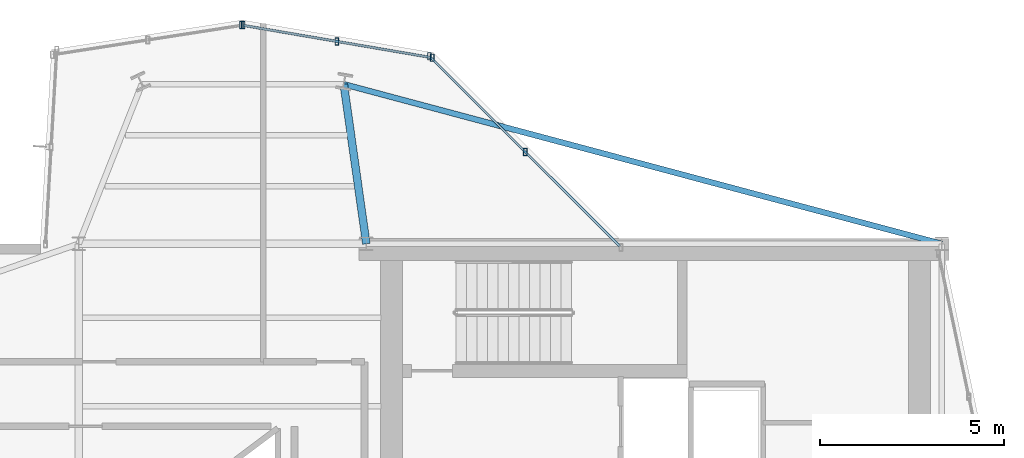
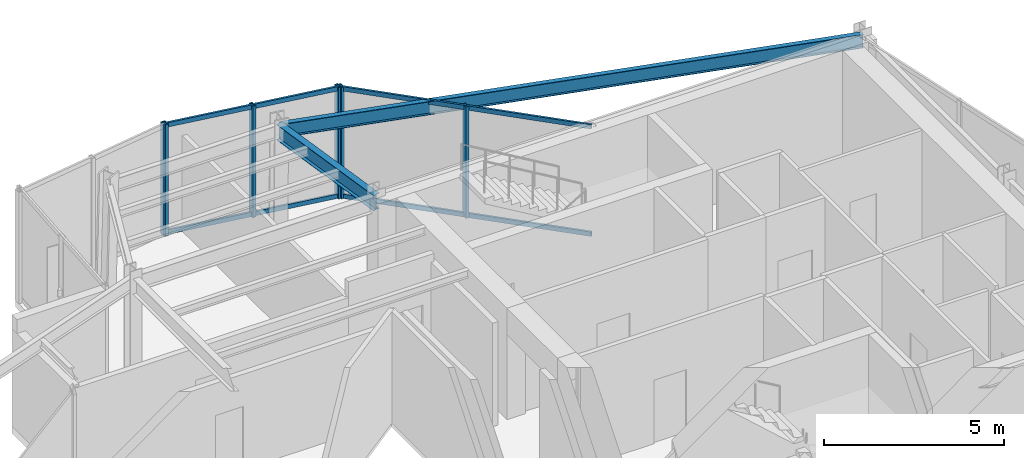
# One storey, part 6 of 13: 10 members, 2 beams, 3 elements without a shape of their own.
"""IFC4 building model written with IfcOpenShell, lengths in metres."""

from ifc_helpers import new_model, si_unit, direction, frame, origin, origin_2d, place, context, subcontext, project, spatial, hollow_rectangle, i_section, extrude, material, layer, layer_set, material_profile, profile_set, type_object, element, aggregate, save


model = new_model("IFC4")

# Units and contexts
model_context = context("Model", 3, precision=1e-05, world=origin(), true_north=direction((0.0, 1.0)))
body_context = subcontext(model_context, "Body", "Model", "MODEL_VIEW")
ifc_project = project(units=[si_unit("LENGTHUNIT", "METRE"), si_unit("AREAUNIT", "SQUARE_METRE"), si_unit("VOLUMEUNIT", "CUBIC_METRE"), si_unit("PLANEANGLEUNIT", "RADIAN"), si_unit("MASSUNIT", "GRAM", prefix="KILO")], contexts=[model_context])

# Site, building, storey
site_placement = place(None, origin())
site = spatial("IfcSite", under=ifc_project, at=site_placement, CompositionType="ELEMENT")
building_placement = place(site_placement, origin())
building = spatial("IfcBuilding", under=site, at=building_placement, Name="Veymaron Broadcast Tower", CompositionType="ELEMENT")
storey_placement = place(building_placement, frame((0.0, 0.0, 311.39990234375)))
storey = spatial("IfcBuildingStorey", under=building, at=storey_placement, Name="L73", CompositionType="ELEMENT", Elevation=311.39990234375)

# Beams
ifc_material_1 = material(Name="Structural steel ASTM A992 Gr 50", Category="steel")
ifc_material_profile_1 = material_profile(ifc_material_1, i_section(OverallWidth=0.208984375, OverallDepth=0.528076171875, WebThickness=0.009521484375, FlangeThickness=0.01318359375, at=origin_2d()), Name="W530X82")
ifc_profile_set_1 = profile_set([ifc_material_profile_1], Name="Structural steel ASTM A992 Gr 50")
beam_type_1 = type_object("IfcBeamType", Name="BM-FG4", PredefinedType="BEAM", material=ifc_profile_set_1)
beam_1_placement = place(storey_placement, frame((39.0, 32.0, 3.51611328125), z_axis=(-0.140029301726, 0.990147360072, 0.0), x_axis=(-0.990147360072, -0.140029301726, 0.0)))
element("IfcBeam", 1, at=beam_1_placement, inside=storey, type_object=beam_type_1, Name="L73 primary structural floor girder", PredefinedType="BEAM", context=body_context, shape_type="SweptSolid", body=[
    extrude(i_section(OverallWidth=0.208984375, OverallDepth=0.528076171875, WebThickness=0.009521484375, FlangeThickness=0.01318359375, at=origin_2d()), origin(), (0.0, 0.0, 1.0), 4.370849609375),
])
ifc_material_profile_2 = material_profile(ifc_material_1, i_section(OverallWidth=0.154052734375, OverallDepth=0.458984375, WebThickness=0.009033203125, FlangeThickness=0.015380859375, at=origin_2d()), Name="W460X68")
ifc_profile_set_2 = profile_set([ifc_material_profile_2], Name="Structural steel ASTM A992 Gr 50")
beam_type_2 = type_object("IfcBeamType", Name="BM-SP2", PredefinedType="SPANDREL", material=ifc_profile_set_2)
beam_2_placement = place(storey_placement, frame((54.60009765625, 32.0, 3.550537109375), z_axis=(-0.966166081306, 0.257920730718, 0.0), x_axis=(-0.257920730718, -0.966166081306, 0.0)))
element("IfcBeam", 2, at=beam_2_placement, inside=storey, type_object=beam_type_2, Name="L73 primary structural floor girder", PredefinedType="SPANDREL", context=body_context, shape_type="SweptSolid", body=[
    extrude(i_section(OverallWidth=0.154052734375, OverallDepth=0.458984375, WebThickness=0.009033203125, FlangeThickness=0.015380859375, at=origin_2d()), origin(), (0.0, 0.0, 1.0), 16.77978515625),
])

# Curtain wall, members
ifc_material_2 = material(Name="Anodised aluminium AA 6063-T6 and laminated low-E dark glass", Category="aluminium")
ifc_layer = layer(ifc_material_2, 0.179931640625)
ifc_layer_set = layer_set([ifc_layer], Name="Anodised aluminium AA 6063-T6 and laminated low-E dark glass")
curtain_wall_type = type_object("IfcCurtainWallType", Name="CW-SYS-06", PredefinedType="NOTDEFINED", material=ifc_layer_set)
curtain_wall_1_placement = place(storey_placement, origin())
curtain_wall_1 = element("IfcCurtainWall", 3, at=curtain_wall_1_placement, inside=storey, type_object=curtain_wall_type, Name="L73 dark-glass curtain wall CW-L73-E5-1", PredefinedType="NOTDEFINED")
ifc_material_3 = material(Name="Anodised aluminium AA 6063-T6", Category="aluminium")
ifc_material_profile_3 = material_profile(ifc_material_3, hollow_rectangle(XDim=0.10009765625, YDim=0.199951171875, WallThickness=0.010009765625, at=origin_2d()), Name="RHS200X100X10")
ifc_profile_set_3 = profile_set([ifc_material_profile_3], Name="Anodised aluminium AA 6063-T6")
member_type_1 = type_object("IfcMemberType", Name="CW-MUL-01", PredefinedType="MULLION", material=ifc_profile_set_3)
member_1_placement = place(storey_placement, frame((43.3056640625, 34.493408203125, 0.0), z_axis=(0.0, 0.0, 1.0), x_axis=(1.0, 0.0, 0.0)))
member_1 = element("IfcMember", 4, at=member_1_placement, type_object=member_type_1, Name="CW-L73-E5-1 mullion 1", PredefinedType="MULLION", context=body_context, shape_type="SweptSolid", body=[
    extrude(hollow_rectangle(XDim=0.10009765625, YDim=0.199951171875, WallThickness=0.010009765625, at=origin_2d()), origin(), (0.0, 0.0, 1.0), 3.780029296875),
])
member_2_placement = place(storey_placement, frame((40.711181640625, 37.085693359375, 0.0), z_axis=(0.0, 0.0, 1.0), x_axis=(1.0, 0.0, 0.0)))
member_2 = element("IfcMember", 5, at=member_2_placement, type_object=member_type_1, Name="CW-L73-E5-1 mullion 2", PredefinedType="MULLION", context=body_context, shape_type="SweptSolid", body=[
    extrude(hollow_rectangle(XDim=0.10009765625, YDim=0.199951171875, WallThickness=0.010009765625, at=origin_2d()), origin(), (0.0, 0.0, 1.0), 3.780029296875),
])

curtain_wall_2_placement = place(storey_placement, origin())
curtain_wall_2 = element("IfcCurtainWall", 6, at=curtain_wall_2_placement, inside=storey, type_object=curtain_wall_type, Name="L73 dark-glass curtain wall CW-L73-E6-1", PredefinedType="NOTDEFINED")
member_3_placement = place(storey_placement, frame((40.78662109375, 37.046875, 0.0), z_axis=(0.0, 0.0, 1.0), x_axis=(1.0, 0.0, 0.0)))
member_3 = element("IfcMember", 7, at=member_3_placement, type_object=member_type_1, Name="CW-L73-E6-1 mullion 0", PredefinedType="MULLION", context=body_context, shape_type="SweptSolid", body=[
    extrude(hollow_rectangle(XDim=0.10009765625, YDim=0.199951171875, WallThickness=0.010009765625, at=origin_2d()), origin(), (0.0, 0.0, 1.0), 3.780029296875),
])
member_4_placement = place(storey_placement, frame((38.199951171875, 37.489013671875, 0.0), z_axis=(0.0, 0.0, 1.0), x_axis=(1.0, 0.0, 0.0)))
member_4 = element("IfcMember", 8, at=member_4_placement, type_object=member_type_1, Name="CW-L73-E6-1 mullion 1", PredefinedType="MULLION", context=body_context, shape_type="SweptSolid", body=[
    extrude(hollow_rectangle(XDim=0.10009765625, YDim=0.199951171875, WallThickness=0.010009765625, at=origin_2d()), origin(), (0.0, 0.0, 1.0), 3.780029296875),
])
member_5_placement = place(storey_placement, frame((35.613525390625, 37.93115234375, 0.0), z_axis=(0.0, 0.0, 1.0), x_axis=(1.0, 0.0, 0.0)))
member_5 = element("IfcMember", 9, at=member_5_placement, type_object=member_type_1, Name="CW-L73-E6-1 mullion 2", PredefinedType="MULLION", context=body_context, shape_type="SweptSolid", body=[
    extrude(hollow_rectangle(XDim=0.10009765625, YDim=0.199951171875, WallThickness=0.010009765625, at=origin_2d()), origin(), (0.0, 0.0, 1.0), 3.780029296875),
])

# Curtain wall, member
curtain_wall_3_placement = place(storey_placement, origin())
curtain_wall_3 = element("IfcCurtainWall", 10, at=curtain_wall_3_placement, inside=storey, type_object=curtain_wall_type, Name="L73 dark-glass curtain wall CW-L73-E7-1", PredefinedType="NOTDEFINED")
member_6_placement = place(storey_placement, frame((35.65869140625, 37.930908203125, 0.0), z_axis=(0.0, 0.0, 1.0), x_axis=(1.0, 0.0, 0.0)))
member_6 = element("IfcMember", 11, at=member_6_placement, type_object=member_type_1, Name="CW-L73-E7-1 mullion 0", PredefinedType="MULLION", context=body_context, shape_type="SweptSolid", body=[
    extrude(hollow_rectangle(XDim=0.10009765625, YDim=0.199951171875, WallThickness=0.010009765625, at=origin_2d()), origin(), (0.0, 0.0, 1.0), 3.780029296875),
])
aggregate(curtain_wall_3, [member_6])

# Member
ifc_material_profile_4 = material_profile(ifc_material_3, hollow_rectangle(XDim=0.06494140625, YDim=0.14990234375, WallThickness=0.00390625, at=origin_2d()), Name="AL150X65X4")
ifc_profile_set_4 = profile_set([ifc_material_profile_4], Name="Anodised aluminium AA 6063-T6")
member_type_2 = type_object("IfcMemberType", Name="CW-TRN-01", PredefinedType="USERDEFINED", material=ifc_profile_set_4)
member_7_placement = place(storey_placement, frame((45.864990234375, 31.936279296875, 0.070068359375), z_axis=(-0.70739352698, 0.706819919064, 0.0), x_axis=(-0.706819919064, -0.70739352698, 0.0)))
member_7 = element("IfcMember", 12, at=member_7_placement, type_object=member_type_2, Name="CW-L73-E5-1 transom B", ObjectType="TRANSOM", PredefinedType="USERDEFINED", context=body_context, shape_type="SweptSolid", body=[
    extrude(hollow_rectangle(XDim=0.06494140625, YDim=0.14990234375, WallThickness=0.00390625, at=origin_2d()), origin(), (0.0, 0.0, 1.0), 7.235595703125),
])

member_8_placement = place(storey_placement, frame((45.864990234375, 31.936279296875, 3.710205078125), z_axis=(-0.70739352698, 0.706819919064, 0.0), x_axis=(-0.706819919064, -0.70739352698, 0.0)))
member_8 = element("IfcMember", 13, at=member_8_placement, type_object=member_type_2, Name="CW-L73-E5-1 transom T", ObjectType="TRANSOM", PredefinedType="USERDEFINED", context=body_context, shape_type="SweptSolid", body=[
    extrude(hollow_rectangle(XDim=0.06494140625, YDim=0.14990234375, WallThickness=0.00390625, at=origin_2d()), origin(), (0.0, 0.0, 1.0), 7.235595703125),
])

aggregate(curtain_wall_1, [member_1, member_2, member_7, member_8])

member_9_placement = place(storey_placement, frame((40.7373046875, 37.05517578125, 0.070068359375), z_axis=(-0.98569437166, 0.168542593066, 0.0), x_axis=(-0.168542593066, -0.98569437166, 0.0)))
member_9 = element("IfcMember", 14, at=member_9_placement, type_object=member_type_2, Name="CW-L73-E6-1 transom B", ObjectType="TRANSOM", PredefinedType="USERDEFINED", context=body_context, shape_type="SweptSolid", body=[
    extrude(hollow_rectangle(XDim=0.06494140625, YDim=0.14990234375, WallThickness=0.00390625, at=origin_2d()), origin(), (0.0, 0.0, 1.0), 5.148193359375),
])

member_10_placement = place(storey_placement, frame((40.7373046875, 37.05517578125, 3.710205078125), z_axis=(-0.98569437166, 0.168542593066, 0.0), x_axis=(-0.168542593066, -0.98569437166, 0.0)))
member_10 = element("IfcMember", 15, at=member_10_placement, type_object=member_type_2, Name="CW-L73-E6-1 transom T", ObjectType="TRANSOM", PredefinedType="USERDEFINED", context=body_context, shape_type="SweptSolid", body=[
    extrude(hollow_rectangle(XDim=0.06494140625, YDim=0.14990234375, WallThickness=0.00390625, at=origin_2d()), origin(), (0.0, 0.0, 1.0), 5.148193359375),
])

aggregate(curtain_wall_2, [member_3, member_4, member_5, member_9, member_10])

save(model, "model.ifc")
